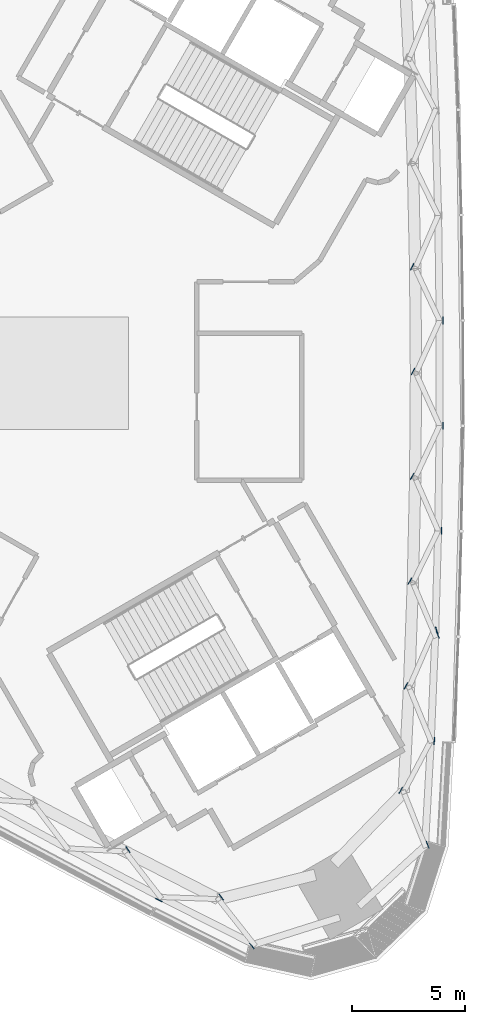
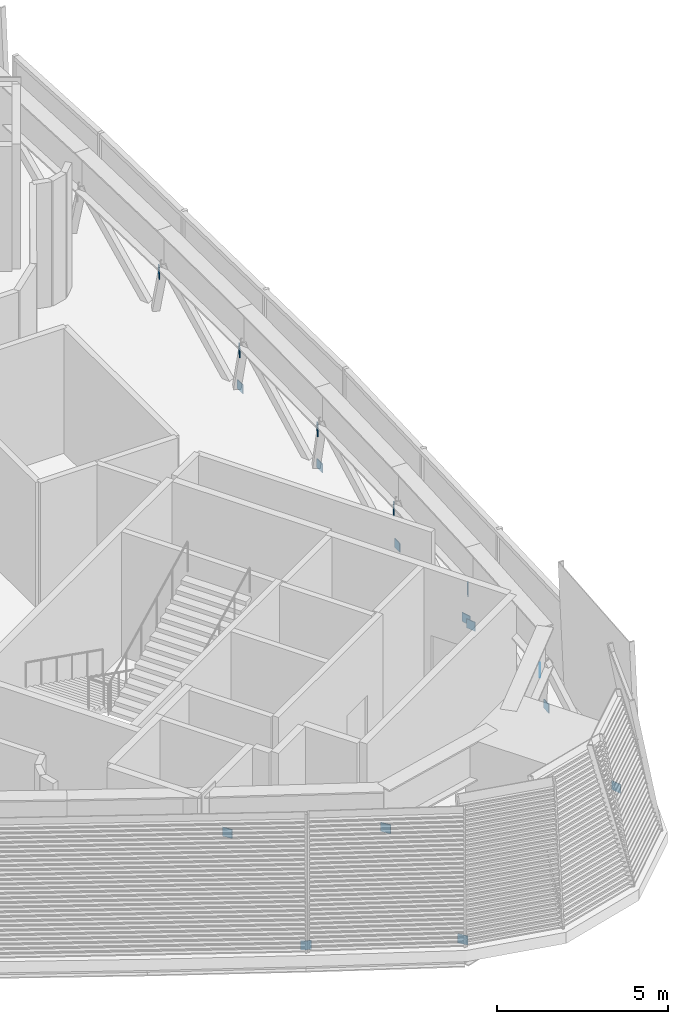
# One storey, part 8 of 18: 17 plates.
"""IFC4 building model written with IfcOpenShell, lengths in metres."""

from ifc_helpers import new_model, si_unit, direction, frame, origin, origin_2d, place, context, subcontext, project, spatial, rectangle, extrude, material, layer, layer_set, type_object, element, save


model = new_model("IFC4")

# Units and contexts
model_context = context("Model", 3, precision=1e-05, world=origin(), true_north=direction((0.0, 1.0)))
body_context = subcontext(model_context, "Body", "Model", "MODEL_VIEW")
ifc_project = project(units=[si_unit("LENGTHUNIT", "METRE"), si_unit("AREAUNIT", "SQUARE_METRE"), si_unit("VOLUMEUNIT", "CUBIC_METRE"), si_unit("PLANEANGLEUNIT", "RADIAN"), si_unit("MASSUNIT", "GRAM", prefix="KILO")], contexts=[model_context])

# Site, building, storey
site_placement = place(None, origin())
site = spatial("IfcSite", under=ifc_project, at=site_placement, CompositionType="ELEMENT")
building_placement = place(site_placement, origin())
building = spatial("IfcBuilding", under=site, at=building_placement, Name="Tamra Quay Hotel Tower", CompositionType="ELEMENT")
storey_placement = place(building_placement, frame((0.0, 0.0, 211.60009765625)))
storey = spatial("IfcBuildingStorey", under=building, at=storey_placement, Name="L53", CompositionType="ELEMENT", Elevation=211.60009765625)

# Plates
ifc_material = material(Name="Structural steel IS 2062 E350", Category="steel")
ifc_layer = layer(ifc_material, 0.02490234375)
ifc_layer_set = layer_set([ifc_layer], Name="BRACE END PLATE 25")
plate_type = type_object("IfcPlateType", Name="BRACE END PLATE 25", PredefinedType="SHEET", material=ifc_layer_set)
for number, where, z_axis, x_axis, name in (
    (1, (17.183349609375, -20.810791015625, -0.39990234375), (0.0, 0.0, 1.0), (0.928757804239, 0.370687120176, 0.0), "BEP-L53-001"),
    (2, (17.4765625, -16.23291015625, -0.39990234375), (0.0, 0.0, 1.0), (-0.998773432862, 0.049513935508, 0.0), "BEP-L53-002"),
    (3, (17.63232421875, -11.54443359375, -0.39990234375), (0.0, 0.0, 1.0), (0.921660122544, 0.387998219728, 0.0), "BEP-L53-003"),
    (4, (17.798095703125, -6.958984375, -0.39990234375), (0.0, 0.0, 1.0), (-0.999774499859, 0.021235569986, 0.0), "BEP-L53-004"),
    (5, (17.8623046875, -2.31982421875, -0.39990234375), (0.0, 0.0, 1.0), (-0.999974733113, 0.007108666171, 0.0), "BEP-L53-005"),
    (6, (17.8623046875, 2.31982421875, -0.39990234375), (0.0, 0.0, 1.0), (0.999974733113, 0.007108666171, 0.0), "BEP-L53-006"),
    (7, (5.31982421875, -23.251708984375, -0.39990234375), (0.0, 0.0, 1.0), (0.456515707542, 0.889715352665, 0.0), "BEP-L53-029"),
    (8, (9.430908203125, -25.286376953125, -0.39990234375), (0.0, 0.0, 1.0), (0.785388240174, 0.619003483186, 0.0), "BEP-L53-030"),
    (9, (15.994873046875, -18.415283203125, 2.72998046875), (0.0, 0.0, 1.0), (-0.865272187062, 0.501302346192, 0.0), "BEP-L53-031"),
    (10, (16.2255859375, -13.79931640625, 2.72998046875), (0.0, 0.0, 1.0), (-0.885862107951, 0.463948623984, 0.0), "BEP-L53-032"),
    (11, (16.400390625, -9.17724609375, 2.72998046875), (0.0, 0.0, 1.0), (-0.878442082037, 0.477848834367, 0.0), "BEP-L53-033"),
    (12, (16.501220703125, -4.554443359375, 2.72998046875), (0.0, 0.0, 1.0), (-0.884786830526, 0.465995991966, 0.0), "BEP-L53-034"),
    (13, (16.534423828125, 0.06884765625, 2.72998046875), (0.0, 0.0, 1.0), (-0.891006524188, 0.45399049974, 0.0), "BEP-L53-035"),
    (14, (16.49951171875, 4.69189453125, 2.72998046875), (0.0, 0.0, 1.0), (-0.897063327217, 0.44190201059, 0.0), "BEP-L53-036"),
    (15, (3.954833984375, -21.01953125, 2.72998046875), (0.0, 0.0, 1.0), (0.815956010482, 0.578113993049, 0.0), "BEP-L53-056"),
    (16, (8.072998046875, -23.12158203125, 2.72998046875), (0.0, 0.0, 1.0), (0.808135883594, 0.58899608967, 0.0), "BEP-L53-057"),
    (17, (17.58349609375, -11.355712890625, -0.27880859375), (0.0, 0.0, 1.0), (0.952948660648, 0.303131737318, 0.0), "BEP-L53-058"),
):
    element("IfcPlate", number, at=place(storey_placement, frame(where, z_axis=z_axis, x_axis=x_axis)), inside=storey, type_object=plate_type, Name=name, PredefinedType="SHEET", context=body_context, shape_type="SweptSolid", body=[
        extrude(rectangle(XDim=0.02490234375, YDim=0.320068359375, at=origin_2d()), origin(), (0.0, 0.0, 1.0), 0.320068359375),
    ])

save(model, "model.ifc")
